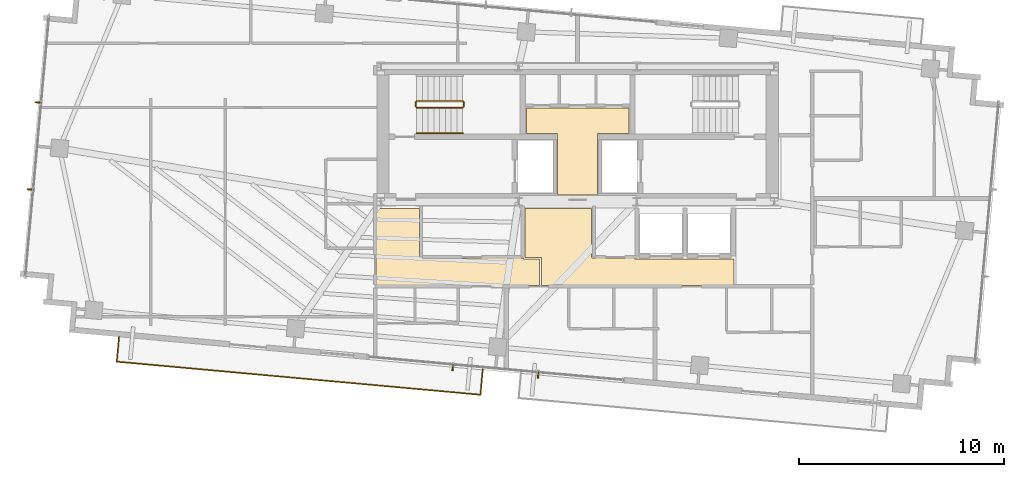
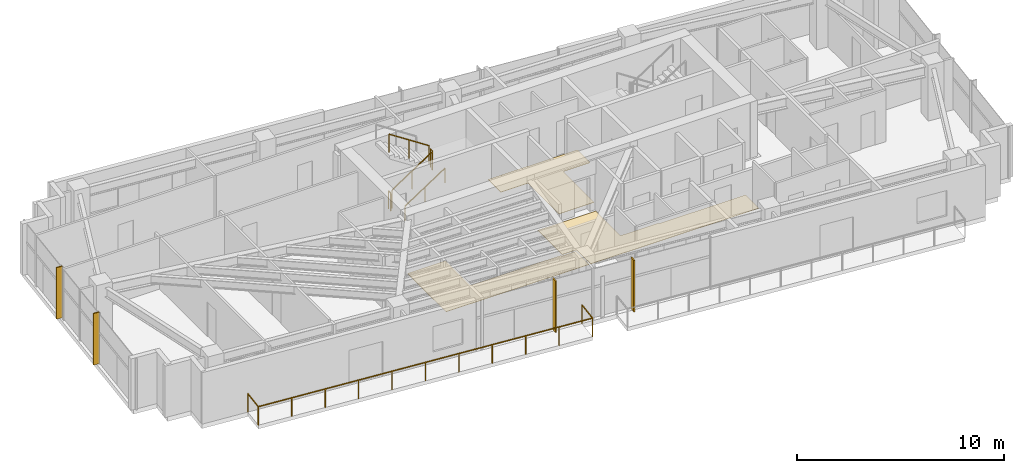
# One storey, part 20 of 22: 6 railings, 4 shading devices, 3 coverings.
"""IFC4 building model written with IfcOpenShell, lengths in metres."""

from ifc_helpers import new_model, si_unit, direction, frame, origin, origin_2d, place, context, subcontext, project, spatial, polyline, rectangle, outline, extrude, source, transform, mapped, material, layer, layer_set, type_object, type_shapes, element, save


model = new_model("IFC4")

# Units and contexts
model_context = context("Model", 3, precision=1e-05, world=origin(), true_north=direction((0.0, 1.0)))
body_context = subcontext(model_context, "Body", "Model", "MODEL_VIEW")
ifc_project = project(units=[si_unit("LENGTHUNIT", "METRE"), si_unit("AREAUNIT", "SQUARE_METRE"), si_unit("VOLUMEUNIT", "CUBIC_METRE"), si_unit("PLANEANGLEUNIT", "RADIAN"), si_unit("MASSUNIT", "GRAM", prefix="KILO")], contexts=[model_context])

# Site, building, storey
site_placement = place(None, origin())
site = spatial("IfcSite", under=ifc_project, at=site_placement, CompositionType="ELEMENT")
building_placement = place(site_placement, origin())
building = spatial("IfcBuilding", under=site, at=building_placement, Name="Astriad Promenade Condominiums", CompositionType="ELEMENT")
storey_placement = place(building_placement, frame((0.0, 0.0, 233.10009765625)))
storey = spatial("IfcBuildingStorey", under=building, at=storey_placement, Name="L67", CompositionType="ELEMENT", Elevation=233.10009765625)

# Coverings
ifc_material_1 = material(Name="Polished Lakefront Terrazzo Flooring")
ifc_layer = layer(ifc_material_1, 0.02001953125)
ifc_layer_set = layer_set([ifc_layer], Name="Polished Lakefront Terrazzo Flooring")
covering_type = type_object("IfcCoveringType", Name="COV-FLOR-TERRAZZO-20", PredefinedType="FLOORING", material=ifc_layer_set)
covering_1_placement = place(storey_placement, origin())
element("IfcCovering", 1, at=covering_1_placement, inside=storey, type_object=covering_type, Name="FLR-L67-CSL", PredefinedType="FLOORING", context=body_context, shape_type="SweptSolid", body=[
    extrude(outline(polyline([(36.97998046875, 20.699951171875), (36.97998046875, 17.739990234375), (35.02001953125, 17.739990234375), (35.02001953125, 20.699951171875), (35.019775390625, 20.703857421875), (35.019287109375, 20.707763671875), (35.018310546875, 20.711669921875), (35.01708984375, 20.71533203125), (35.015380859375, 20.718994140625), (35.01318359375, 20.72216796875), (35.010986328125, 20.725341796875), (35.00830078125, 20.728271484375), (35.00537109375, 20.73095703125), (35.002197265625, 20.7333984375), (34.998779296875, 20.7353515625), (34.995361328125, 20.737060546875), (34.99169921875, 20.73828125), (34.98779296875, 20.7392578125), (34.98388671875, 20.73974609375), (34.97998046875, 20.739990234375), (33.5, 20.739990234375), (33.5, 21.97998046875), (38.5, 21.97998046875), (38.5, 20.739990234375), (37.02001953125, 20.739990234375), (37.01611328125, 20.73974609375), (37.01220703125, 20.7392578125), (37.00830078125, 20.73828125), (37.004638671875, 20.737060546875), (37.001220703125, 20.7353515625), (36.997802734375, 20.7333984375), (36.99462890625, 20.73095703125), (36.99169921875, 20.728271484375), (36.989013671875, 20.725341796875), (36.98681640625, 20.72216796875), (36.984619140625, 20.718994140625), (36.98291015625, 20.71533203125), (36.981689453125, 20.711669921875), (36.980712890625, 20.707763671875), (36.980224609375, 20.703857421875), (36.97998046875, 20.699951171875)])), origin(), (0.0, 0.0, 1.0), 0.02001953125),
])
covering_2_placement = place(storey_placement, origin())
element("IfcCovering", 2, at=covering_2_placement, inside=storey, type_object=covering_type, Name="FLR-L67-LLB", PredefinedType="FLOORING", context=body_context, shape_type="SweptSolid", body=[
    extrude(outline(polyline([(43.639892578125, 14.610107421875), (43.639892578125, 13.320068359375), (34.239990234375, 13.320068359375), (34.239990234375, 14.64990234375), (34.23974609375, 14.65380859375), (34.2392578125, 14.65771484375), (34.23828125, 14.66162109375), (34.237060546875, 14.665283203125), (34.2353515625, 14.6689453125), (34.2333984375, 14.672119140625), (34.23095703125, 14.67529296875), (34.228271484375, 14.67822265625), (34.225341796875, 14.680908203125), (34.22216796875, 14.683349609375), (34.218994140625, 14.685302734375), (34.21533203125, 14.68701171875), (34.211669921875, 14.688232421875), (34.207763671875, 14.689208984375), (34.203857421875, 14.689697265625), (34.199951171875, 14.68994140625), (33.43994140625, 14.68994140625), (33.43994140625, 17.06005859375), (36.679931640625, 17.06005859375), (36.679931640625, 14.699951171875), (36.68017578125, 14.696044921875), (36.680908203125, 14.692138671875), (36.681640625, 14.6884765625), (36.68310546875, 14.684814453125), (36.684814453125, 14.68115234375), (36.686767578125, 14.677734375), (36.689208984375, 14.674560546875), (36.691650390625, 14.671630859375), (36.694580078125, 14.669189453125), (36.69775390625, 14.666748046875), (36.701171875, 14.664794921875), (36.70458984375, 14.6630859375), (36.70849609375, 14.66162109375), (36.712158203125, 14.660888671875), (36.716064453125, 14.66015625), (36.719970703125, 14.659912109375), (38.760009765625, 14.659912109375), (38.760009765625, 14.64990234375), (38.76025390625, 14.64599609375), (38.7607421875, 14.64208984375), (38.76171875, 14.638427734375), (38.762939453125, 14.634765625), (38.7646484375, 14.631103515625), (38.7666015625, 14.627685546875), (38.76904296875, 14.62451171875), (38.771728515625, 14.62158203125), (38.774658203125, 14.619140625), (38.77783203125, 14.61669921875), (38.781005859375, 14.61474609375), (38.78466796875, 14.613037109375), (38.788330078125, 14.61181640625), (38.792236328125, 14.61083984375), (38.796142578125, 14.610107421875), (38.800048828125, 14.610107421875), (43.639892578125, 14.610107421875)])), origin(), (0.0, 0.0, 1.0), 0.02001953125),
])
covering_3_placement = place(storey_placement, origin())
element("IfcCovering", 3, at=covering_3_placement, inside=storey, type_object=covering_type, Name="FLR-L67-COR-1", PredefinedType="FLOORING", context=body_context, shape_type="SweptSolid", body=[
    extrude(outline(polyline([(26.159912109375, 13.320068359375), (26.159912109375, 17.06005859375), (28.280029296875, 17.06005859375), (28.280029296875, 14.699951171875), (28.2802734375, 14.696044921875), (28.28076171875, 14.692138671875), (28.28173828125, 14.6884765625), (28.282958984375, 14.684814453125), (28.28466796875, 14.68115234375), (28.28662109375, 14.677734375), (28.2890625, 14.674560546875), (28.291748046875, 14.671630859375), (28.294677734375, 14.669189453125), (28.2978515625, 14.666748046875), (28.301025390625, 14.664794921875), (28.3046875, 14.6630859375), (28.308349609375, 14.66162109375), (28.312255859375, 14.660888671875), (28.316162109375, 14.66015625), (28.320068359375, 14.659912109375), (33.35009765625, 14.659912109375), (33.35009765625, 14.64892578125), (33.35009765625, 14.64501953125), (33.350830078125, 14.64111328125), (33.35107421875, 14.64013671875), (33.351318359375, 14.639404296875), (33.351318359375, 14.638427734375), (33.352294921875, 14.634521484375), (33.353759765625, 14.630859375), (33.3544921875, 14.629150390625), (33.356201171875, 14.6259765625), (33.356689453125, 14.625), (33.35888671875, 14.62158203125), (33.3603515625, 14.61962890625), (33.36083984375, 14.618896484375), (33.361083984375, 14.61865234375), (33.361328125, 14.618408203125), (33.361572265625, 14.617919921875), (33.36328125, 14.615966796875), (33.365966796875, 14.61328125), (33.367919921875, 14.611572265625), (33.368408203125, 14.611328125), (33.36865234375, 14.611083984375), (33.368896484375, 14.61083984375), (33.36962890625, 14.6103515625), (33.37158203125, 14.60888671875), (33.375, 14.606689453125), (33.3759765625, 14.606201171875), (33.379150390625, 14.6044921875), (33.3798828125, 14.604248046875), (33.380859375, 14.603759765625), (33.384521484375, 14.602294921875), (33.388427734375, 14.601318359375), (33.389404296875, 14.601318359375), (33.39013671875, 14.60107421875), (33.39111328125, 14.600830078125), (33.39501953125, 14.60009765625), (33.39892578125, 14.60009765625), (34.14990234375, 14.60009765625), (34.14990234375, 13.320068359375), (26.159912109375, 13.320068359375)])), origin(), (0.0, 0.0, 1.0), 0.02001953125),
])

# Shading devices
ifc_material_2 = material(Name="Anodised aluminium 6063-T6 Black Fin", Category="aluminium")
shading_device_type = type_object("IfcShadingDeviceType", Name="FIN-BLACK-260", PredefinedType="USERDEFINED", material=ifc_material_2)
shared_shape_1 = source(origin(), body_context, "Body", "SweptSolid", [
    extrude(rectangle(XDim=0.06494140625, YDim=0.320068359375, at=origin_2d()), origin(), (0.0, 0.0, 1.0), 3.0400390625),
])
type_shapes(shading_device_type, [shared_shape_1])
for number, where, z_axis, x_axis, name in (
    (4, (9.293212890625, 17.9970703125, 0.0), (0.0, 0.0, 1.0), (0.090632580198, 0.995884398616, 0.0), "CW-L67-W-FIN-01"),
    (5, (9.6796875, 22.246337890625, 0.0), (0.0, 0.0, 1.0), (0.090632580198, 0.995884398616, 0.0), "CW-L67-W-FIN-02"),
    (6, (34.073974609375, 8.937255859375, 0.0), (0.0, 0.0, 1.0), (-0.995884398616, 0.090632580198, 0.0), "CW-L67-S-FIN-01"),
    (7, (29.9111328125, 9.316162109375, 0.0), (0.0, 0.0, 1.0), (-0.995884398616, 0.090632580198, 0.0), "CW-L67-S-FIN-02"),
):
    element("IfcShadingDevice", number, at=place(storey_placement, frame(where, z_axis=z_axis, x_axis=x_axis)), inside=storey, type_object=shading_device_type, Name=name, ObjectType="FIN", PredefinedType="USERDEFINED", context=body_context, shape_type="MappedRepresentation", body=[
        mapped(shared_shape_1, transform((0.0, 0.0, 0.0), scale=1.0)),
    ])

# Railings
ifc_material_3 = material(Name="Laminated Glass and Stainless Steel Balustrade", Category="steel")
railing_type_1 = type_object("IfcRailingType", Name="GRD-BALC-1120", PredefinedType="BALUSTRADE", material=ifc_material_3)
shared_shape_2 = source(origin(), body_context, "Body", "SweptSolid", [
    extrude(rectangle(XDim=0.048095703125, YDim=0.048095703125, at=origin_2d()), frame((0.0, 0.0, 1.09619140625), z_axis=(-0.09066206129, -0.995881715186, 0.0), x_axis=(0.995881715186, -0.09066206129, 0.0)), (0.0, 0.0, 1.0), 1.219970703125),
    extrude(rectangle(XDim=0.048095703125, YDim=0.048095703125, at=origin_2d()), frame((-0.110595703125, -1.21484375, 1.09619140625), z_axis=(0.995883547516, -0.090641931727, 0.0), x_axis=(0.090641931727, 0.995883547516, 0.0)), (0.0, 0.0, 1.0), 17.828125),
    extrude(rectangle(XDim=0.048095703125, YDim=0.048095703125, at=origin_2d()), frame((17.64404296875, -2.830810546875, 1.09619140625), z_axis=(0.090445536319, 0.995901403232, 0.0), x_axis=(-0.995901403232, 0.090445536319, 0.0)), (0.0, 0.0, 1.0), 1.219970703125),
    extrude(rectangle(XDim=0.0419921875, YDim=0.0419921875, at=origin_2d()), origin(), (0.0, 0.0, 1.0), 1.072021484375),
    extrude(rectangle(XDim=0.0419921875, YDim=0.0419921875, at=origin_2d()), frame((-0.110595703125, -1.21484375, 0.0)), (0.0, 0.0, 1.0), 1.072021484375),
    extrude(rectangle(XDim=0.0419921875, YDim=0.0419921875, at=origin_2d()), frame((1.664794921875, -1.37646484375, 0.0)), (0.0, 0.0, 1.0), 1.072021484375),
    extrude(rectangle(XDim=0.0419921875, YDim=0.0419921875, at=origin_2d()), frame((3.4404296875, -1.5380859375, 0.0)), (0.0, 0.0, 1.0), 1.072021484375),
    extrude(rectangle(XDim=0.0419921875, YDim=0.0419921875, at=origin_2d()), frame((5.2158203125, -1.69970703125, 0.0)), (0.0, 0.0, 1.0), 1.072021484375),
    extrude(rectangle(XDim=0.0419921875, YDim=0.0419921875, at=origin_2d()), frame((6.9912109375, -1.861328125, 0.0)), (0.0, 0.0, 1.0), 1.072021484375),
    extrude(rectangle(XDim=0.0419921875, YDim=0.0419921875, at=origin_2d()), frame((8.7666015625, -2.02294921875, 0.0)), (0.0, 0.0, 1.0), 1.072021484375),
    extrude(rectangle(XDim=0.0419921875, YDim=0.0419921875, at=origin_2d()), frame((10.542236328125, -2.184326171875, 0.0)), (0.0, 0.0, 1.0), 1.072021484375),
    extrude(rectangle(XDim=0.0419921875, YDim=0.0419921875, at=origin_2d()), frame((12.317626953125, -2.345947265625, 0.0)), (0.0, 0.0, 1.0), 1.072021484375),
    extrude(rectangle(XDim=0.0419921875, YDim=0.0419921875, at=origin_2d()), frame((14.093017578125, -2.507568359375, 0.0)), (0.0, 0.0, 1.0), 1.072021484375),
    extrude(rectangle(XDim=0.0419921875, YDim=0.0419921875, at=origin_2d()), frame((15.86865234375, -2.669189453125, 0.0)), (0.0, 0.0, 1.0), 1.072021484375),
    extrude(rectangle(XDim=0.0419921875, YDim=0.0419921875, at=origin_2d()), frame((17.64404296875, -2.830810546875, 0.0)), (0.0, 0.0, 1.0), 1.072021484375),
    extrude(rectangle(XDim=0.0419921875, YDim=0.0419921875, at=origin_2d()), frame((17.75439453125, -1.61572265625, 0.0)), (0.0, 0.0, 1.0), 1.072021484375),
])
type_shapes(railing_type_1, [shared_shape_2])
railing_1_placement = place(storey_placement, frame((13.618408203125, 10.808837890625, 0.0)))
element("IfcRailing", 8, at=railing_1_placement, inside=storey, type_object=railing_type_1, Name="GRD-BALC-L67-SW", PredefinedType="BALUSTRADE", context=body_context, shape_type="MappedRepresentation", body=[
    mapped(shared_shape_2, transform((0.0, 0.0, 0.0), scale=1.0)),
])
ifc_material_4 = material(Name="Painted Galvanised Steel Guardrail", Category="steel")
railing_type_2 = type_object("IfcRailingType", Name="GRD-STAIR-1100", PredefinedType="GUARDRAIL", material=ifc_material_4)
shared_shape_3 = source(origin(), body_context, "Body", "SweptSolid", [
    extrude(rectangle(XDim=0.048095703125, YDim=0.048095703125, at=origin_2d()), frame((0.0, 0.0, 1.076171875), z_axis=(0.0, 1.0, 0.0), x_axis=(-1.0, 0.0, 0.0)), (0.0, 0.0, 1.0), 0.199951171875),
    extrude(rectangle(XDim=0.0419921875, YDim=0.0419921875, at=origin_2d()), origin(), (0.0, 0.0, 1.0), 1.052001953125),
    extrude(rectangle(XDim=0.0419921875, YDim=0.0419921875, at=origin_2d()), frame((0.0, 0.199951171875, 0.0)), (0.0, 0.0, 1.0), 1.052001953125),
])
for number, where, name in (
    (9, (30.43994140625, 22.050048828125, 1.64990234375), "L67 ST-1 stair guard 2"),
    (10, (28.10009765625, 22.050048828125, 0.0), "L67 ST-1 stair guard 4"),
):
    element("IfcRailing", number, at=place(storey_placement, frame(where)), inside=storey, type_object=railing_type_2, Name=name, PredefinedType="GUARDRAIL", context=body_context, shape_type="MappedRepresentation", body=[
        mapped(shared_shape_3, transform((0.0, 0.0, 0.0), scale=1.0)),
    ])
shared_shape_4 = source(origin(), body_context, "Body", "SweptSolid", [
    extrude(rectangle(XDim=0.048095703125, YDim=0.048095703125, at=origin_2d()), frame((0.0, 0.0, 1.076171875), z_axis=(0.836636935527, 0.0, 0.547757827979), x_axis=(0.0, 1.0, 0.0)), (0.0, 0.0, 1.0), 2.677490234375),
    extrude(rectangle(XDim=0.0419921875, YDim=0.0419921875, at=origin_2d()), origin(), (0.0, 0.0, 1.0), 1.052001953125),
    extrude(rectangle(XDim=0.0419921875, YDim=0.0419921875, at=origin_2d()), frame((1.1201171875, 0.0, 0.7333984375)), (0.0, 0.0, 1.0), 1.052001953125),
    extrude(rectangle(XDim=0.0419921875, YDim=0.0419921875, at=origin_2d()), frame((2.239990234375, 0.0, 1.466552734375)), (0.0, 0.0, 1.0), 1.052001953125),
])
railing_2_placement = place(storey_placement, frame((28.14990234375, 22.0, 0.183349609375)))
element("IfcRailing", 11, at=railing_2_placement, inside=storey, type_object=railing_type_2, Name="L67 ST-1 stair guard 1", PredefinedType="GUARDRAIL", context=body_context, shape_type="MappedRepresentation", body=[
    mapped(shared_shape_4, transform((0.0, 0.0, 0.0), scale=1.0)),
])
shared_shape_5 = source(origin(), body_context, "Body", "SweptSolid", [
    extrude(rectangle(XDim=0.048095703125, YDim=0.048095703125, at=origin_2d()), frame((0.0, 0.0, 1.076171875), z_axis=(-0.836636935527, 0.0, 0.547757827979), x_axis=(0.0, -1.0, 0.0)), (0.0, 0.0, 1.0), 2.677490234375),
    extrude(rectangle(XDim=0.0419921875, YDim=0.0419921875, at=origin_2d()), origin(), (0.0, 0.0, 1.0), 1.052001953125),
    extrude(rectangle(XDim=0.0419921875, YDim=0.0419921875, at=origin_2d()), frame((-1.1201171875, 0.0, 0.7333984375)), (0.0, 0.0, 1.0), 1.052001953125),
    extrude(rectangle(XDim=0.0419921875, YDim=0.0419921875, at=origin_2d()), frame((-2.239990234375, 0.0, 1.466552734375)), (0.0, 0.0, 1.0), 1.052001953125),
])
type_shapes(railing_type_2, [shared_shape_3, shared_shape_4, shared_shape_5])
railing_3_placement = place(storey_placement, frame((30.389892578125, 22.300048828125, 1.833251953125)))
element("IfcRailing", 12, at=railing_3_placement, inside=storey, type_object=railing_type_2, Name="L67 ST-1 stair guard 3", PredefinedType="GUARDRAIL", context=body_context, shape_type="MappedRepresentation", body=[
    mapped(shared_shape_5, transform((0.0, 0.0, 0.0), scale=1.0)),
])
ifc_material_5 = material(Name="Brushed Stainless Steel Handrail", Category="steel")
railing_type_3 = type_object("IfcRailingType", Name="HRL-STAIR-920", PredefinedType="HANDRAIL", material=ifc_material_5)
shared_shape_6 = source(origin(), body_context, "Body", "SweptSolid", [
    extrude(rectangle(XDim=0.048095703125, YDim=0.048095703125, at=origin_2d()), frame((0.0, 0.0, 0.8759765625), z_axis=(0.836636935527, 0.0, 0.547757827979), x_axis=(0.0, 1.0, 0.0)), (0.0, 0.0, 1.0), 2.677490234375),
    extrude(rectangle(XDim=0.0419921875, YDim=0.0419921875, at=origin_2d()), origin(), (0.0, 0.0, 1.0), 0.851806640625),
    extrude(rectangle(XDim=0.0419921875, YDim=0.0419921875, at=origin_2d()), frame((1.1201171875, 0.0, 0.7333984375)), (0.0, 0.0, 1.0), 0.851806640625),
    extrude(rectangle(XDim=0.0419921875, YDim=0.0419921875, at=origin_2d()), frame((2.239990234375, 0.0, 1.466552734375)), (0.0, 0.0, 1.0), 0.851806640625),
])
type_shapes(railing_type_3, [shared_shape_6])
railing_4_placement = place(storey_placement, frame((28.14990234375, 20.75, 0.183349609375)))
element("IfcRailing", 13, at=railing_4_placement, inside=storey, type_object=railing_type_3, Name="L67 ST-1 stair handrail 1", PredefinedType="HANDRAIL", context=body_context, shape_type="MappedRepresentation", body=[
    mapped(shared_shape_6, transform((0.0, 0.0, 0.0), scale=1.0)),
])

save(model, "model.ifc")
